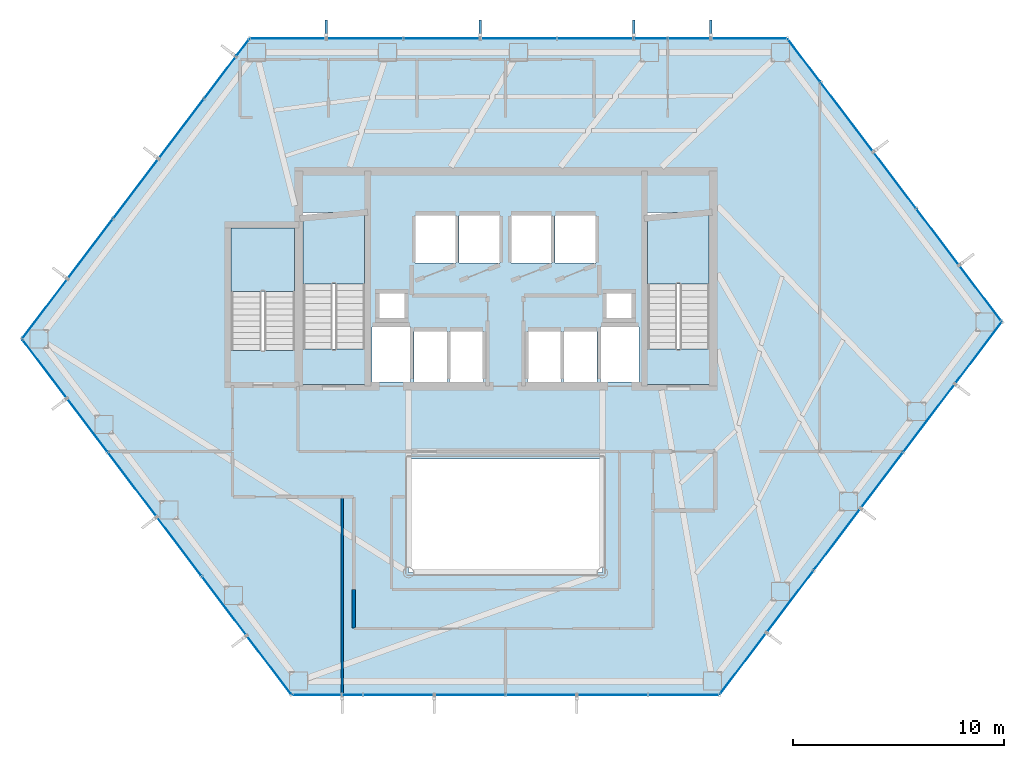
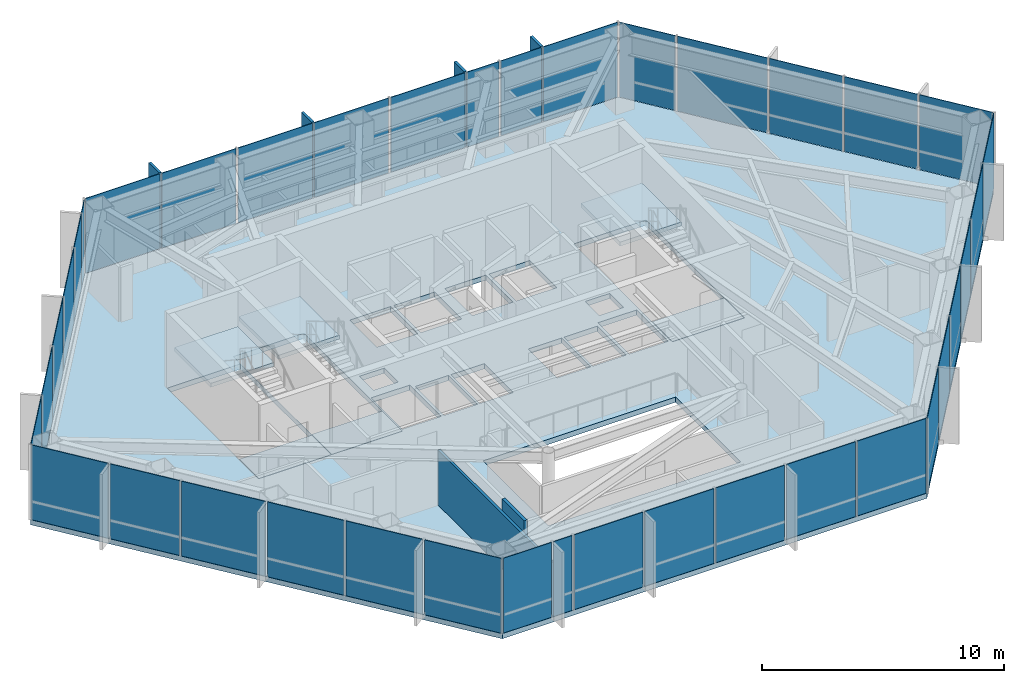
# One storey, part 20 of 24: 38 plates, 7 slabs, 4 members, 2 walls, 9 elements without a shape of their own.
"""IFC4 building model written with IfcOpenShell, lengths in metres."""

from ifc_helpers import new_model, si_unit, direction, frame, frame_2d, origin, origin_2d, place, context, subcontext, project, spatial, polyline, rectangle, outline, extrude, material, layer, layer_set, material_profile, profile_set, type_object, element, aggregate, save


model = new_model("IFC4")

# Units and contexts
model_context = context("Model", 3, precision=1e-05, world=origin(), true_north=direction((0.0, 1.0)))
body_context = subcontext(model_context, "Body", "Model", "MODEL_VIEW")
ifc_project = project(units=[si_unit("LENGTHUNIT", "METRE"), si_unit("AREAUNIT", "SQUARE_METRE"), si_unit("VOLUMEUNIT", "CUBIC_METRE"), si_unit("PLANEANGLEUNIT", "RADIAN"), si_unit("MASSUNIT", "GRAM", prefix="KILO")], contexts=[model_context])

# Site, building, storey
site_placement = place(None, origin())
site = spatial("IfcSite", under=ifc_project, at=site_placement, CompositionType="ELEMENT")
building_placement = place(site_placement, origin())
building = spatial("IfcBuilding", under=site, at=building_placement, Name="Zarrinselat Tower", CompositionType="ELEMENT")
storey_placement = place(building_placement, frame((0.0, 0.0, 72.419921875)))
storey = spatial("IfcBuildingStorey", under=building, at=storey_placement, Name="L17", CompositionType="ELEMENT", Elevation=72.419921875)

# Curtain wall, members, plates
ifc_material_1 = material(Name="Extruded Aluminium Alloy EN AW-6063 T6", Category="aluminium")
ifc_layer_1 = layer(ifc_material_1, 0.18505859375)
ifc_layer_set_1 = layer_set([ifc_layer_1], Name="Extruded Aluminium Alloy EN AW-6063 T6")
curtain_wall_type = type_object("IfcCurtainWallType", Name="CWS-OFF", PredefinedType="NOTDEFINED", material=ifc_layer_set_1)
curtain_wall_1_placement = place(storey_placement, origin())
curtain_wall_1 = element("IfcCurtainWall", 1, at=curtain_wall_1_placement, inside=storey, type_object=curtain_wall_type, Name="L17 Unitised Curtain Wall CW-L17-E01", PredefinedType="NOTDEFINED")
ifc_material_2 = material(Name="Honed Cream Travertine Stone", Category="masonry")
ifc_material_profile = material_profile(ifc_material_2, rectangle(XDim=0.1201171875, YDim=0.85009765625, at=origin_2d()), Name="FIN 850x120")
ifc_profile_set = profile_set([ifc_material_profile], Name="Honed Cream Travertine Stone")
member_type = type_object("IfcMemberType", Name="MEM-STONE-FIN", PredefinedType="USERDEFINED", material=ifc_profile_set)
member_1_placement = place(storey_placement, frame((48.130859375, 50.193359375, 0.0), z_axis=(0.0, 0.0, 1.0), x_axis=(1.0, 0.0, 0.0)))
member_1 = element("IfcMember", 2, at=member_1_placement, type_object=member_type, Name="L17 Stone Shading Fin CW-L17-E01-01", ObjectType="FIN", PredefinedType="USERDEFINED", context=body_context, shape_type="SweptSolid", body=[
    extrude(rectangle(XDim=0.1201171875, YDim=0.85009765625, at=origin_2d()), origin(), (0.0, 0.0, 1.0), 3.820068359375),
])
member_2_placement = place(storey_placement, frame((44.4853515625, 50.193359375, 0.0), z_axis=(0.0, 0.0, 1.0), x_axis=(1.0, 0.0, 0.0)))
member_2 = element("IfcMember", 3, at=member_2_placement, type_object=member_type, Name="L17 Stone Shading Fin CW-L17-E01-03", ObjectType="FIN", PredefinedType="USERDEFINED", context=body_context, shape_type="SweptSolid", body=[
    extrude(rectangle(XDim=0.1201171875, YDim=0.85009765625, at=origin_2d()), origin(), (0.0, 0.0, 1.0), 3.820068359375),
])
member_3_placement = place(storey_placement, frame((37.194580078125, 50.193359375, 0.0), z_axis=(0.0, 0.0, 1.0), x_axis=(1.0, 0.0, 0.0)))
member_3 = element("IfcMember", 4, at=member_3_placement, type_object=member_type, Name="L17 Stone Shading Fin CW-L17-E01-05", ObjectType="FIN", PredefinedType="USERDEFINED", context=body_context, shape_type="SweptSolid", body=[
    extrude(rectangle(XDim=0.1201171875, YDim=0.85009765625, at=origin_2d()), origin(), (0.0, 0.0, 1.0), 3.820068359375),
])
member_4_placement = place(storey_placement, frame((29.903564453125, 50.193359375, 0.0), z_axis=(0.0, 0.0, 1.0), x_axis=(1.0, 0.0, 0.0)))
member_4 = element("IfcMember", 5, at=member_4_placement, type_object=member_type, Name="L17 Stone Shading Fin CW-L17-E01-07", ObjectType="FIN", PredefinedType="USERDEFINED", context=body_context, shape_type="SweptSolid", body=[
    extrude(rectangle(XDim=0.1201171875, YDim=0.85009765625, at=origin_2d()), origin(), (0.0, 0.0, 1.0), 3.820068359375),
])
ifc_material_3 = material(Name="Double Low-E Laminated Solar Glass", Category="glass")
ifc_layer_2 = layer(ifc_material_3, 0.031982421875)
ifc_layer_set_2 = layer_set([ifc_layer_2], Name="Double Low-E Laminated Solar Glass")
plate_type = type_object("IfcPlateType", Name="PLT-CW-GL32", PredefinedType="CURTAIN_PANEL", material=ifc_layer_set_2)
plate_1_placement = place(storey_placement, frame((49.95361328125, 49.7333984375, 0.02001953125), z_axis=(0.0, 0.0, 1.0), x_axis=(-1.0, 0.0, 0.0)))
plate_1 = element("IfcPlate", 6, at=plate_1_placement, type_object=plate_type, Name="CW-L17-E01 Vision Glass Panel 1", PredefinedType="CURTAIN_PANEL", context=body_context, shape_type="SweptSolid", body=[
    extrude(rectangle(XDim=3.54541015625, YDim=0.031982421875, at=origin_2d()), origin(), (0.0, 0.0, 1.0), 3.780029296875),
])
plate_2_placement = place(storey_placement, frame((47.115478515625, 49.7333984375, 0.02001953125), z_axis=(0.0, 0.0, 1.0), x_axis=(-1.0, 0.0, 0.0)))
plate_2 = element("IfcPlate", 7, at=plate_2_placement, type_object=plate_type, Name="CW-L17-E01 Vision Glass Panel 2", PredefinedType="CURTAIN_PANEL", context=body_context, shape_type="SweptSolid", body=[
    extrude(rectangle(XDim=1.930908203125, YDim=0.031982421875, at=origin_2d()), origin(), (0.0, 0.0, 1.0), 3.780029296875),
])
plate_3_placement = place(storey_placement, frame((45.292724609375, 49.7333984375, 0.02001953125), z_axis=(0.0, 0.0, 1.0), x_axis=(-1.0, 0.0, 0.0)))
plate_3 = element("IfcPlate", 8, at=plate_3_placement, type_object=plate_type, Name="CW-L17-E01 Vision Glass Panel 3", PredefinedType="CURTAIN_PANEL", context=body_context, shape_type="SweptSolid", body=[
    extrude(rectangle(XDim=1.5146484375, YDim=0.031982421875, at=origin_2d()), origin(), (0.0, 0.0, 1.0), 3.780029296875),
])
plate_4_placement = place(storey_placement, frame((42.66259765625, 49.7333984375, 0.02001953125), z_axis=(0.0, 0.0, 1.0), x_axis=(-1.0, 0.0, 0.0)))
plate_4 = element("IfcPlate", 9, at=plate_4_placement, type_object=plate_type, Name="CW-L17-E01 Vision Glass Panel 4", PredefinedType="CURTAIN_PANEL", context=body_context, shape_type="SweptSolid", body=[
    extrude(rectangle(XDim=3.54541015625, YDim=0.031982421875, at=origin_2d()), origin(), (0.0, 0.0, 1.0), 3.780029296875),
])
plate_5_placement = place(storey_placement, frame((39.01708984375, 49.7333984375, 0.02001953125), z_axis=(0.0, 0.0, 1.0), x_axis=(-1.0, 0.0, 0.0)))
plate_5 = element("IfcPlate", 10, at=plate_5_placement, type_object=plate_type, Name="CW-L17-E01 Vision Glass Panel 5", PredefinedType="CURTAIN_PANEL", context=body_context, shape_type="SweptSolid", body=[
    extrude(rectangle(XDim=3.54541015625, YDim=0.031982421875, at=origin_2d()), origin(), (0.0, 0.0, 1.0), 3.780029296875),
])
plate_6_placement = place(storey_placement, frame((35.371826171875, 49.7333984375, 0.02001953125), z_axis=(0.0, 0.0, 1.0), x_axis=(-1.0, 0.0, 0.0)))
plate_6 = element("IfcPlate", 11, at=plate_6_placement, type_object=plate_type, Name="CW-L17-E01 Vision Glass Panel 6", PredefinedType="CURTAIN_PANEL", context=body_context, shape_type="SweptSolid", body=[
    extrude(rectangle(XDim=3.54541015625, YDim=0.031982421875, at=origin_2d()), origin(), (0.0, 0.0, 1.0), 3.780029296875),
])
plate_7_placement = place(storey_placement, frame((31.726318359375, 49.7333984375, 0.02001953125), z_axis=(0.0, 0.0, 1.0), x_axis=(-1.0, 0.0, 0.0)))
plate_7 = element("IfcPlate", 12, at=plate_7_placement, type_object=plate_type, Name="CW-L17-E01 Vision Glass Panel 7", PredefinedType="CURTAIN_PANEL", context=body_context, shape_type="SweptSolid", body=[
    extrude(rectangle(XDim=3.54541015625, YDim=0.031982421875, at=origin_2d()), origin(), (0.0, 0.0, 1.0), 3.780029296875),
])
plate_8_placement = place(storey_placement, frame((28.080810546875, 49.7333984375, 0.02001953125), z_axis=(0.0, 0.0, 1.0), x_axis=(-1.0, 0.0, 0.0)))
plate_8 = element("IfcPlate", 13, at=plate_8_placement, type_object=plate_type, Name="CW-L17-E01 Vision Glass Panel 8", PredefinedType="CURTAIN_PANEL", context=body_context, shape_type="SweptSolid", body=[
    extrude(rectangle(XDim=3.54541015625, YDim=0.031982421875, at=origin_2d()), origin(), (0.0, 0.0, 1.0), 3.780029296875),
])
aggregate(curtain_wall_1, [member_1, member_2, member_3, member_4, plate_1, plate_2, plate_3, plate_4, plate_5, plate_6, plate_7, plate_8])

# Curtain wall, plates
curtain_wall_2_placement = place(storey_placement, origin())
curtain_wall_2 = element("IfcCurtainWall", 14, at=curtain_wall_2_placement, inside=storey, type_object=curtain_wall_type, Name="L17 Unitised Curtain Wall CW-L17-E02", PredefinedType="NOTDEFINED")
plate_9_placement = place(storey_placement, frame((25.93798828125, 49.310791015625, 0.02001953125), z_axis=(0.0, 0.0, 1.0), x_axis=(-0.60385671849, -0.797092882627, 0.0)))
plate_9 = element("IfcPlate", 15, at=plate_9_placement, type_object=plate_type, Name="CW-L17-E02 Vision Glass Panel 1", PredefinedType="CURTAIN_PANEL", context=body_context, shape_type="SweptSolid", body=[
    extrude(rectangle(XDim=0.96044921875, YDim=0.031982421875, at=origin_2d()), origin(), (0.0, 0.0, 1.0), 3.780029296875),
])
plate_10_placement = place(storey_placement, frame((24.858642578125, 47.885986328125, 0.02001953125), z_axis=(0.0, 0.0, 1.0), x_axis=(-0.60385671849, -0.797092882627, 0.0)))
plate_10 = element("IfcPlate", 16, at=plate_10_placement, type_object=plate_type, Name="CW-L17-E02 Vision Glass Panel 2", PredefinedType="CURTAIN_PANEL", context=body_context, shape_type="SweptSolid", body=[
    extrude(rectangle(XDim=2.4140625, YDim=0.031982421875, at=origin_2d()), origin(), (0.0, 0.0, 1.0), 3.780029296875),
])
plate_11_placement = place(storey_placement, frame((23.0205078125, 45.45947265625, 0.02001953125), z_axis=(0.0, 0.0, 1.0), x_axis=(-0.60385671849, -0.797092882627, 0.0)))
plate_11 = element("IfcPlate", 17, at=plate_11_placement, type_object=plate_type, Name="CW-L17-E02 Vision Glass Panel 3", PredefinedType="CURTAIN_PANEL", context=body_context, shape_type="SweptSolid", body=[
    extrude(rectangle(XDim=3.474609375, YDim=0.031982421875, at=origin_2d()), origin(), (0.0, 0.0, 1.0), 3.780029296875),
])
plate_12_placement = place(storey_placement, frame((20.86181640625, 42.610107421875, 0.02001953125), z_axis=(0.0, 0.0, 1.0), x_axis=(-0.60385671849, -0.797092882627, 0.0)))
plate_12 = element("IfcPlate", 18, at=plate_12_placement, type_object=plate_type, Name="CW-L17-E02 Vision Glass Panel 4", PredefinedType="CURTAIN_PANEL", context=body_context, shape_type="SweptSolid", body=[
    extrude(rectangle(XDim=3.474609375, YDim=0.031982421875, at=origin_2d()), origin(), (0.0, 0.0, 1.0), 3.780029296875),
])
plate_13_placement = place(storey_placement, frame((18.703369140625, 39.7607421875, 0.02001953125), z_axis=(0.0, 0.0, 1.0), x_axis=(-0.60385671849, -0.797092882627, 0.0)))
plate_13 = element("IfcPlate", 19, at=plate_13_placement, type_object=plate_type, Name="CW-L17-E02 Vision Glass Panel 5", PredefinedType="CURTAIN_PANEL", context=body_context, shape_type="SweptSolid", body=[
    extrude(rectangle(XDim=3.474609375, YDim=0.031982421875, at=origin_2d()), origin(), (0.0, 0.0, 1.0), 3.780029296875),
])
plate_14_placement = place(storey_placement, frame((16.544921875, 36.91162109375, 0.02001953125), z_axis=(0.0, 0.0, 1.0), x_axis=(-0.60385671849, -0.797092882627, 0.0)))
plate_14 = element("IfcPlate", 20, at=plate_14_placement, type_object=plate_type, Name="CW-L17-E02 Vision Glass Panel 6", PredefinedType="CURTAIN_PANEL", context=body_context, shape_type="SweptSolid", body=[
    extrude(rectangle(XDim=3.474609375, YDim=0.031982421875, at=origin_2d()), origin(), (0.0, 0.0, 1.0), 3.780029296875),
])
aggregate(curtain_wall_2, [plate_9, plate_10, plate_11, plate_12, plate_13, plate_14])

curtain_wall_3_placement = place(storey_placement, origin())
curtain_wall_3 = element("IfcCurtainWall", 21, at=curtain_wall_3_placement, inside=storey, type_object=curtain_wall_type, Name="L17 Unitised Curtain Wall CW-L17-E03", PredefinedType="NOTDEFINED")
plate_15_placement = place(storey_placement, frame((16.53125, 34.080078125, 0.02001953125), z_axis=(0.0, 0.0, 1.0), x_axis=(0.603854869931, -0.797094283044, 0.0)))
plate_15 = element("IfcPlate", 22, at=plate_15_placement, type_object=plate_type, Name="CW-L17-E03 Vision Glass Panel 1", PredefinedType="CURTAIN_PANEL", context=body_context, shape_type="SweptSolid", body=[
    extrude(rectangle(XDim=3.429931640625, YDim=0.031982421875, at=origin_2d()), origin(), (0.0, 0.0, 1.0), 3.780029296875),
])
plate_16_placement = place(storey_placement, frame((18.56640625, 31.3935546875, 0.02001953125), z_axis=(0.0, 0.0, 1.0), x_axis=(0.603854869931, -0.797094283044, 0.0)))
plate_16 = element("IfcPlate", 23, at=plate_16_placement, type_object=plate_type, Name="CW-L17-E03 Vision Glass Panel 2", PredefinedType="CURTAIN_PANEL", context=body_context, shape_type="SweptSolid", body=[
    extrude(rectangle(XDim=3.111083984375, YDim=0.031982421875, at=origin_2d()), origin(), (0.0, 0.0, 1.0), 3.780029296875),
])
plate_17_placement = place(storey_placement, frame((20.697998046875, 28.579833984375, 0.02001953125), z_axis=(0.0, 0.0, 1.0), x_axis=(0.603854869931, -0.797094283044, 0.0)))
plate_17 = element("IfcPlate", 24, at=plate_17_placement, type_object=plate_type, Name="CW-L17-E03 Vision Glass Panel 3", PredefinedType="CURTAIN_PANEL", context=body_context, shape_type="SweptSolid", body=[
    extrude(rectangle(XDim=3.748779296875, YDim=0.031982421875, at=origin_2d()), origin(), (0.0, 0.0, 1.0), 3.780029296875),
])
plate_18_placement = place(storey_placement, frame((22.92578125, 25.63916015625, 0.02001953125), z_axis=(0.0, 0.0, 1.0), x_axis=(0.603854869931, -0.797094283044, 0.0)))
plate_18 = element("IfcPlate", 25, at=plate_18_placement, type_object=plate_type, Name="CW-L17-E03 Vision Glass Panel 4", PredefinedType="CURTAIN_PANEL", context=body_context, shape_type="SweptSolid", body=[
    extrude(rectangle(XDim=3.429931640625, YDim=0.031982421875, at=origin_2d()), origin(), (0.0, 0.0, 1.0), 3.780029296875),
])
plate_19_placement = place(storey_placement, frame((25.0576171875, 22.825439453125, 0.02001953125), z_axis=(0.0, 0.0, 1.0), x_axis=(0.603854869931, -0.797094283044, 0.0)))
plate_19 = element("IfcPlate", 26, at=plate_19_placement, type_object=plate_type, Name="CW-L17-E03 Vision Glass Panel 5", PredefinedType="CURTAIN_PANEL", context=body_context, shape_type="SweptSolid", body=[
    extrude(rectangle(XDim=3.429931640625, YDim=0.031982421875, at=origin_2d()), origin(), (0.0, 0.0, 1.0), 3.780029296875),
])
plate_20_placement = place(storey_placement, frame((27.18896484375, 20.01171875, 0.02001953125), z_axis=(0.0, 0.0, 1.0), x_axis=(0.603854869931, -0.797094283044, 0.0)))
plate_20 = element("IfcPlate", 27, at=plate_20_placement, type_object=plate_type, Name="CW-L17-E03 Vision Glass Panel 6", PredefinedType="CURTAIN_PANEL", context=body_context, shape_type="SweptSolid", body=[
    extrude(rectangle(XDim=3.429931640625, YDim=0.031982421875, at=origin_2d()), origin(), (0.0, 0.0, 1.0), 3.780029296875),
])
aggregate(curtain_wall_3, [plate_15, plate_16, plate_17, plate_18, plate_19, plate_20])

curtain_wall_4_placement = place(storey_placement, origin())
curtain_wall_4 = element("IfcCurtainWall", 28, at=curtain_wall_4_placement, inside=storey, type_object=curtain_wall_type, Name="L17 Unitised Curtain Wall CW-L17-E04", PredefinedType="NOTDEFINED")
plate_21_placement = place(storey_placement, frame((29.452392578125, 18.60498046875, 0.02001953125), z_axis=(0.0, 0.0, 1.0), x_axis=(1.0, 0.0, 0.0)))
plate_21 = element("IfcPlate", 29, at=plate_21_placement, type_object=plate_type, Name="CW-L17-E04 Vision Glass Panel 1", PredefinedType="CURTAIN_PANEL", context=body_context, shape_type="SweptSolid", body=[
    extrude(rectangle(XDim=2.295166015625, YDim=0.031982421875, at=origin_2d()), origin(), (0.0, 0.0, 1.0), 3.780029296875),
])
plate_22_placement = place(storey_placement, frame((31.143310546875, 18.60498046875, 0.02001953125), z_axis=(0.0, 0.0, 1.0), x_axis=(1.0, 0.0, 0.0)))
plate_22 = element("IfcPlate", 30, at=plate_22_placement, type_object=plate_type, Name="CW-L17-E04 Vision Glass Panel 2", PredefinedType="CURTAIN_PANEL", context=body_context, shape_type="SweptSolid", body=[
    extrude(rectangle(XDim=0.886474609375, YDim=0.031982421875, at=origin_2d()), origin(), (0.0, 0.0, 1.0), 3.780029296875),
])
plate_23_placement = place(storey_placement, frame((33.327392578125, 18.60498046875, 0.02001953125), z_axis=(0.0, 0.0, 1.0), x_axis=(1.0, 0.0, 0.0)))
plate_23 = element("IfcPlate", 31, at=plate_23_placement, type_object=plate_type, Name="CW-L17-E04 Vision Glass Panel 3", PredefinedType="CURTAIN_PANEL", context=body_context, shape_type="SweptSolid", body=[
    extrude(rectangle(XDim=3.28173828125, YDim=0.031982421875, at=origin_2d()), origin(), (0.0, 0.0, 1.0), 3.780029296875),
])
plate_24_placement = place(storey_placement, frame((36.708984375, 18.60498046875, 0.02001953125), z_axis=(0.0, 0.0, 1.0), x_axis=(1.0, 0.0, 0.0)))
plate_24 = element("IfcPlate", 32, at=plate_24_placement, type_object=plate_type, Name="CW-L17-E04 Vision Glass Panel 4", PredefinedType="CURTAIN_PANEL", context=body_context, shape_type="SweptSolid", body=[
    extrude(rectangle(XDim=3.28173828125, YDim=0.031982421875, at=origin_2d()), origin(), (0.0, 0.0, 1.0), 3.780029296875),
])
plate_25_placement = place(storey_placement, frame((40.0908203125, 18.60498046875, 0.02001953125), z_axis=(0.0, 0.0, 1.0), x_axis=(1.0, 0.0, 0.0)))
plate_25 = element("IfcPlate", 33, at=plate_25_placement, type_object=plate_type, Name="CW-L17-E04 Vision Glass Panel 5", PredefinedType="CURTAIN_PANEL", context=body_context, shape_type="SweptSolid", body=[
    extrude(rectangle(XDim=3.28173828125, YDim=0.031982421875, at=origin_2d()), origin(), (0.0, 0.0, 1.0), 3.780029296875),
])
plate_26_placement = place(storey_placement, frame((43.47265625, 18.60498046875, 0.02001953125), z_axis=(0.0, 0.0, 1.0), x_axis=(1.0, 0.0, 0.0)))
plate_26 = element("IfcPlate", 34, at=plate_26_placement, type_object=plate_type, Name="CW-L17-E04 Vision Glass Panel 6", PredefinedType="CURTAIN_PANEL", context=body_context, shape_type="SweptSolid", body=[
    extrude(rectangle(XDim=3.28173828125, YDim=0.031982421875, at=origin_2d()), origin(), (0.0, 0.0, 1.0), 3.780029296875),
])
plate_27_placement = place(storey_placement, frame((46.854248046875, 18.60498046875, 0.02001953125), z_axis=(0.0, 0.0, 1.0), x_axis=(1.0, 0.0, 0.0)))
plate_27 = element("IfcPlate", 35, at=plate_27_placement, type_object=plate_type, Name="CW-L17-E04 Vision Glass Panel 7", PredefinedType="CURTAIN_PANEL", context=body_context, shape_type="SweptSolid", body=[
    extrude(rectangle(XDim=3.28173828125, YDim=0.031982421875, at=origin_2d()), origin(), (0.0, 0.0, 1.0), 3.780029296875),
])
aggregate(curtain_wall_4, [plate_21, plate_22, plate_23, plate_24, plate_25, plate_26, plate_27])

curtain_wall_5_placement = place(storey_placement, origin())
curtain_wall_5 = element("IfcCurtainWall", 36, at=curtain_wall_5_placement, inside=storey, type_object=curtain_wall_type, Name="L17 Unitised Curtain Wall CW-L17-E05", PredefinedType="NOTDEFINED")
plate_28_placement = place(storey_placement, frame((49.662353515625, 20.07958984375, 0.02001953125), z_axis=(0.0, 0.0, 1.0), x_axis=(0.603855086386, 0.797094119063, 0.0)))
plate_28 = element("IfcPlate", 37, at=plate_28_placement, type_object=plate_type, Name="CW-L17-E05 Vision Glass Panel 1", PredefinedType="CURTAIN_PANEL", context=body_context, shape_type="SweptSolid", body=[
    extrude(rectangle(XDim=3.600341796875, YDim=0.031982421875, at=origin_2d()), origin(), (0.0, 0.0, 1.0), 3.780029296875),
])
plate_29_placement = place(storey_placement, frame((51.896728515625, 23.029052734375, 0.02001953125), z_axis=(0.0, 0.0, 1.0), x_axis=(0.603855086386, 0.797094119063, 0.0)))
plate_29 = element("IfcPlate", 38, at=plate_29_placement, type_object=plate_type, Name="CW-L17-E05 Vision Glass Panel 2", PredefinedType="CURTAIN_PANEL", context=body_context, shape_type="SweptSolid", body=[
    extrude(rectangle(XDim=3.600341796875, YDim=0.031982421875, at=origin_2d()), origin(), (0.0, 0.0, 1.0), 3.780029296875),
])
plate_30_placement = place(storey_placement, frame((54.131103515625, 25.978515625, 0.02001953125), z_axis=(0.0, 0.0, 1.0), x_axis=(0.603855086386, 0.797094119063, 0.0)))
plate_30 = element("IfcPlate", 39, at=plate_30_placement, type_object=plate_type, Name="CW-L17-E05 Vision Glass Panel 3", PredefinedType="CURTAIN_PANEL", context=body_context, shape_type="SweptSolid", body=[
    extrude(rectangle(XDim=3.600341796875, YDim=0.031982421875, at=origin_2d()), origin(), (0.0, 0.0, 1.0), 3.780029296875),
])
plate_31_placement = place(storey_placement, frame((56.256103515625, 28.783447265625, 0.02001953125), z_axis=(0.0, 0.0, 1.0), x_axis=(0.603855086386, 0.797094119063, 0.0)))
plate_31 = element("IfcPlate", 40, at=plate_31_placement, type_object=plate_type, Name="CW-L17-E05 Vision Glass Panel 4", PredefinedType="CURTAIN_PANEL", context=body_context, shape_type="SweptSolid", body=[
    extrude(rectangle(XDim=3.23779296875, YDim=0.031982421875, at=origin_2d()), origin(), (0.0, 0.0, 1.0), 3.780029296875),
])
plate_32_placement = place(storey_placement, frame((58.490478515625, 31.73291015625, 0.02001953125), z_axis=(0.0, 0.0, 1.0), x_axis=(0.603855086386, 0.797094119063, 0.0)))
plate_32 = element("IfcPlate", 41, at=plate_32_placement, type_object=plate_type, Name="CW-L17-E05 Vision Glass Panel 5", PredefinedType="CURTAIN_PANEL", context=body_context, shape_type="SweptSolid", body=[
    extrude(rectangle(XDim=3.962646484375, YDim=0.031982421875, at=origin_2d()), origin(), (0.0, 0.0, 1.0), 3.780029296875),
])
plate_33_placement = place(storey_placement, frame((60.83447265625, 34.826904296875, 0.02001953125), z_axis=(0.0, 0.0, 1.0), x_axis=(0.603855086386, 0.797094119063, 0.0)))
plate_33 = element("IfcPlate", 42, at=plate_33_placement, type_object=plate_type, Name="CW-L17-E05 Vision Glass Panel 6", PredefinedType="CURTAIN_PANEL", context=body_context, shape_type="SweptSolid", body=[
    extrude(rectangle(XDim=3.600341796875, YDim=0.031982421875, at=origin_2d()), origin(), (0.0, 0.0, 1.0), 3.780029296875),
])
aggregate(curtain_wall_5, [plate_28, plate_29, plate_30, plate_31, plate_32, plate_33])

curtain_wall_6_placement = place(storey_placement, origin())
curtain_wall_6 = element("IfcCurtainWall", 43, at=curtain_wall_6_placement, inside=storey, type_object=curtain_wall_type, Name="L17 Unitised Curtain Wall CW-L17-E06", PredefinedType="NOTDEFINED")
plate_34_placement = place(storey_placement, frame((60.93408203125, 37.644775390625, 0.02001953125), z_axis=(0.0, 0.0, 1.0), x_axis=(-0.603856545426, 0.797093013736, 0.0)))
plate_34 = element("IfcPlate", 44, at=plate_34_placement, type_object=plate_type, Name="CW-L17-E06 Vision Glass Panel 1", PredefinedType="CURTAIN_PANEL", context=body_context, shape_type="SweptSolid", body=[
    extrude(rectangle(XDim=3.270263671875, YDim=0.031982421875, at=origin_2d()), origin(), (0.0, 0.0, 1.0), 3.780029296875),
])
plate_35_placement = place(storey_placement, frame((58.899169921875, 40.3310546875, 0.02001953125), z_axis=(0.0, 0.0, 1.0), x_axis=(-0.603856545426, 0.797093013736, 0.0)))
plate_35 = element("IfcPlate", 45, at=plate_35_placement, type_object=plate_type, Name="CW-L17-E06 Vision Glass Panel 2", PredefinedType="CURTAIN_PANEL", context=body_context, shape_type="SweptSolid", body=[
    extrude(rectangle(XDim=3.270263671875, YDim=0.031982421875, at=origin_2d()), origin(), (0.0, 0.0, 1.0), 3.780029296875),
])
plate_36_placement = place(storey_placement, frame((56.864013671875, 43.017333984375, 0.02001953125), z_axis=(0.0, 0.0, 1.0), x_axis=(-0.603856545426, 0.797093013736, 0.0)))
plate_36 = element("IfcPlate", 46, at=plate_36_placement, type_object=plate_type, Name="CW-L17-E06 Vision Glass Panel 3", PredefinedType="CURTAIN_PANEL", context=body_context, shape_type="SweptSolid", body=[
    extrude(rectangle(XDim=3.270263671875, YDim=0.031982421875, at=origin_2d()), origin(), (0.0, 0.0, 1.0), 3.780029296875),
])
plate_37_placement = place(storey_placement, frame((54.59716796875, 46.009765625, 0.02001953125), z_axis=(0.0, 0.0, 1.0), x_axis=(-0.603856545426, 0.797093013736, 0.0)))
plate_37 = element("IfcPlate", 47, at=plate_37_placement, type_object=plate_type, Name="CW-L17-E06 Vision Glass Panel 4", PredefinedType="CURTAIN_PANEL", context=body_context, shape_type="SweptSolid", body=[
    extrude(rectangle(XDim=4.03759765625, YDim=0.031982421875, at=origin_2d()), origin(), (0.0, 0.0, 1.0), 3.780029296875),
])
plate_38_placement = place(storey_placement, frame((52.56201171875, 48.696044921875, 0.02001953125), z_axis=(0.0, 0.0, 1.0), x_axis=(-0.603856545426, 0.797093013736, 0.0)))
plate_38 = element("IfcPlate", 48, at=plate_38_placement, type_object=plate_type, Name="CW-L17-E06 Vision Glass Panel 5", PredefinedType="CURTAIN_PANEL", context=body_context, shape_type="SweptSolid", body=[
    extrude(rectangle(XDim=2.502685546875, YDim=0.031982421875, at=origin_2d()), origin(), (0.0, 0.0, 1.0), 3.780029296875),
])
aggregate(curtain_wall_6, [plate_34, plate_35, plate_36, plate_37, plate_38])

# Slabs
ifc_material_4 = material(Name="Concrete C40/50", Category="concrete")
ifc_layer_3 = layer(ifc_material_4, 0.260009765625)
ifc_layer_set_3 = layer_set([ifc_layer_3], Name="Concrete C40/50")
slab_type_1 = type_object("IfcSlabType", Name="SLB-FLOOR-260-SL-OF260", PredefinedType="FLOOR", material=ifc_layer_set_3)
slab_1_placement = place(storey_placement, frame((0.0, 0.0, -0.260009765625)))
element("IfcSlab", 49, at=slab_1_placement, inside=storey, type_object=slab_type_1, Name="L17 Primary Structural Slab", PredefinedType="FLOOR", context=body_context, shape_type="SweptSolid", body=[
    extrude(outline(polyline([(51.776123046875, 49.7333984375), (26.25830078125, 49.7333984375), (15.465576171875, 35.48681640625), (28.2548828125, 18.60498046875), (48.545166015625, 18.60498046875), (61.95166015625, 36.301513671875), (51.776123046875, 49.7333984375)]), holes=[polyline([(34.050048828125, 33.449951171875), (34.050048828125, 35.85009765625), (35.64990234375, 35.85009765625), (35.64990234375, 33.449951171875), (34.050048828125, 33.449951171875)]), polyline([(35.75, 33.449951171875), (35.75, 35.85009765625), (37.35009765625, 35.85009765625), (37.35009765625, 33.449951171875), (35.75, 33.449951171875)]), polyline([(32.06005859375, 33.449951171875), (32.06005859375, 36.050048828125), (33.89990234375, 36.050048828125), (33.89990234375, 33.449951171875), (32.06005859375, 33.449951171875)]), polyline([(32.419921875, 36.47998046875), (32.419921875, 37.639892578125), (33.60009765625, 37.639892578125), (33.60009765625, 36.47998046875), (32.419921875, 36.47998046875)]), polyline([(28.594970703125, 33.324951171875), (25.114990234375, 33.324951171875), (25.114990234375, 40.875), (28.594970703125, 40.875), (28.594970703125, 33.324951171875)]), polyline([(31.985107421875, 33.324951171875), (28.60498046875, 33.324951171875), (28.60498046875, 41.47509765625), (31.985107421875, 41.47509765625), (31.985107421875, 33.324951171875)]), polyline([(34.10009765625, 39.10009765625), (34.10009765625, 41.35009765625), (36.050048828125, 41.35009765625), (36.050048828125, 39.10009765625), (34.10009765625, 39.10009765625)]), polyline([(36.199951171875, 39.10009765625), (36.199951171875, 41.35009765625), (38.14990234375, 41.35009765625), (38.14990234375, 39.10009765625), (36.199951171875, 39.10009765625)]), polyline([(33.800048828125, 24.39990234375), (33.800048828125, 29.800048828125), (43.0, 29.800048828125), (43.0, 24.39990234375), (33.800048828125, 24.39990234375)]), polyline([(39.449951171875, 33.449951171875), (39.449951171875, 35.85009765625), (41.050048828125, 35.85009765625), (41.050048828125, 33.449951171875), (39.449951171875, 33.449951171875)]), polyline([(41.14990234375, 33.449951171875), (41.14990234375, 35.85009765625), (42.75, 35.85009765625), (42.75, 33.449951171875), (41.14990234375, 33.449951171875)]), polyline([(42.89990234375, 33.449951171875), (42.89990234375, 36.050048828125), (44.739990234375, 36.050048828125), (44.739990234375, 33.449951171875), (42.89990234375, 33.449951171875)]), polyline([(43.199951171875, 36.47998046875), (43.199951171875, 37.639892578125), (44.3798828125, 37.639892578125), (44.3798828125, 36.47998046875), (43.199951171875, 36.47998046875)]), polyline([(48.324951171875, 33.324951171875), (44.875, 33.324951171875), (44.875, 41.47509765625), (48.324951171875, 41.47509765625), (48.324951171875, 33.324951171875)]), polyline([(38.64990234375, 39.10009765625), (38.64990234375, 41.35009765625), (40.60009765625, 41.35009765625), (40.60009765625, 39.10009765625), (38.64990234375, 39.10009765625)]), polyline([(40.75, 39.10009765625), (40.75, 41.35009765625), (42.699951171875, 41.35009765625), (42.699951171875, 39.10009765625), (40.75, 39.10009765625)])]), origin(), (0.0, 0.0, 1.0), 0.260009765625),
])
slab_2_placement = place(storey_placement, frame((0.0, 0.0, -0.260009765625)))
element("IfcSlab", 50, at=slab_2_placement, inside=storey, type_object=slab_type_1, Name="L17 Stair ST-1-FL1 Structural Floor Landing", PredefinedType="FLOOR", context=body_context, shape_type="SweptSolid", body=[
    extrude(outline(polyline([(31.97998046875, 33.330078125), (31.97998046875, 35.0), (28.610107421875, 35.0), (28.610107421875, 33.330078125), (31.97998046875, 33.330078125)])), origin(), (0.0, 0.0, 1.0), 0.260009765625),
])
slab_3_placement = place(storey_placement, frame((0.0, 0.0, -0.260009765625)))
element("IfcSlab", 51, at=slab_3_placement, inside=storey, type_object=slab_type_1, Name="L17 Stair ST-2-FL1 Structural Floor Landing", PredefinedType="FLOOR", context=body_context, shape_type="SweptSolid", body=[
    extrude(outline(polyline([(48.320068359375, 33.330078125), (48.320068359375, 35.0), (44.8798828125, 35.0), (44.8798828125, 33.330078125), (48.320068359375, 33.330078125)])), origin(), (0.0, 0.0, 1.0), 0.260009765625),
])
slab_4_placement = place(storey_placement, frame((0.0, 0.0, -0.260009765625)))
element("IfcSlab", 52, at=slab_4_placement, inside=storey, type_object=slab_type_1, Name="L17 Stair ST-3-FL1 Structural Floor Landing", PredefinedType="FLOOR", context=body_context, shape_type="SweptSolid", body=[
    extrude(outline(polyline([(28.590087890625, 33.330078125), (28.590087890625, 34.949951171875), (25.1201171875, 34.949951171875), (25.1201171875, 33.330078125), (28.590087890625, 33.330078125)])), origin(), (0.0, 0.0, 1.0), 0.260009765625),
])

# Stair, slab
ifc_material_5 = material(Name="Concrete C40/50", Category="concrete")
stair_type_1 = type_object("IfcStairType", Name="STR-CORE-145", PredefinedType="HALF_TURN_STAIR", material=ifc_material_5)
stair_1_placement = place(storey_placement, origin())
stair_1 = element("IfcStair", 53, at=stair_1_placement, inside=storey, type_object=stair_type_1, Name="L17 Podium & Mid-Tower Exit Stair 3", PredefinedType="HALF_TURN_STAIR")
ifc_material_6 = material(Name="Concrete C40/50", Category="concrete")
ifc_layer_4 = layer(ifc_material_6, 0.1650390625)
ifc_layer_set_4 = layer_set([ifc_layer_4], Name="Concrete C40/50")
slab_type_2 = type_object("IfcSlabType", Name="SLB-LND-165", PredefinedType="LANDING", material=ifc_layer_set_4)
slab_5_placement = place(storey_placement, frame((0.0, 0.0, 1.840087890625)))
slab_5 = element("IfcSlab", 54, at=slab_5_placement, type_object=slab_type_2, Name="ST-3 landing 1", PredefinedType="LANDING", context=body_context, shape_type="SweptSolid", body=[
    extrude(outline(polyline([(28.39990234375, 37.75), (28.39990234375, 40.75), (25.3798828125, 40.75), (25.3798828125, 37.75), (28.39990234375, 37.75)])), origin(), (0.0, 0.0, 1.0), 0.199951171875),
])
aggregate(stair_1, [slab_5])

ifc_material_7 = material(Name="Concrete C40/50", Category="concrete")
stair_type_2 = type_object("IfcStairType", Name="STR-CORE-155", PredefinedType="HALF_TURN_STAIR", material=ifc_material_7)
stair_2_placement = place(storey_placement, origin())
stair_2 = element("IfcStair", 55, at=stair_2_placement, inside=storey, type_object=stair_type_2, Name="L17 Core Exit Stair 1", PredefinedType="HALF_TURN_STAIR")
ifc_material_8 = material(Name="Concrete C40/50", Category="concrete")
ifc_layer_5 = layer(ifc_material_8, 0.18994140625)
ifc_layer_set_5 = layer_set([ifc_layer_5], Name="Concrete C40/50")
slab_type_3 = type_object("IfcSlabType", Name="SLB-LND-190", PredefinedType="LANDING", material=ifc_layer_set_5)
slab_6_placement = place(storey_placement, frame((0.0, 0.0, 1.840087890625)))
slab_6 = element("IfcSlab", 56, at=slab_6_placement, type_object=slab_type_3, Name="ST-1 landing 1", PredefinedType="LANDING", context=body_context, shape_type="SweptSolid", body=[
    extrude(outline(polyline([(31.719970703125, 38.10009765625), (31.719970703125, 41.35009765625), (28.800048828125, 41.35009765625), (28.800048828125, 38.10009765625), (31.719970703125, 38.10009765625)])), origin(), (0.0, 0.0, 1.0), 0.199951171875),
])
aggregate(stair_2, [slab_6])

stair_3_placement = place(storey_placement, origin())
stair_3 = element("IfcStair", 57, at=stair_3_placement, inside=storey, type_object=stair_type_2, Name="L17 Core Exit Stair 2", PredefinedType="HALF_TURN_STAIR")
slab_7_placement = place(storey_placement, frame((0.0, 0.0, 1.840087890625)))
slab_7 = element("IfcSlab", 58, at=slab_7_placement, type_object=slab_type_3, Name="ST-2 landing 1", PredefinedType="LANDING", context=body_context, shape_type="SweptSolid", body=[
    extrude(outline(polyline([(48.06005859375, 38.10009765625), (48.06005859375, 41.35009765625), (45.139892578125, 41.35009765625), (45.139892578125, 38.10009765625), (48.06005859375, 38.10009765625)])), origin(), (0.0, 0.0, 1.0), 0.199951171875),
])
aggregate(stair_3, [slab_7])

# Walls
ifc_material_9 = material(Name="Fire-Rated Gypsum Board Partition", Category="gypsum")
ifc_layer_6 = layer(ifc_material_9, 0.14990234375)
ifc_layer_set_6 = layer_set([ifc_layer_6], Name="Fire-Rated Gypsum Board Partition")
wall_type_1 = type_object("IfcWallType", Name="WAL-PART-EI60", PredefinedType="PARTITIONING", material=ifc_layer_set_6)
wall_1_placement = place(storey_placement, frame((31.199951171875, 21.77001953125, 0.0), z_axis=(0.0, 0.0, 1.0), x_axis=(0.0, 1.0, 0.0)))
element("IfcWall", 59, at=wall_1_placement, inside=storey, type_object=wall_type_1, Name="L17 Partition Wall 17", PredefinedType="PARTITIONING", context=body_context, shape_type="SweptSolid", body=[
    extrude(rectangle(XDim=1.830078125, YDim=0.14990234375, at=frame_2d((0.9150390625, 0.0))), origin(), (0.0, 0.0, 1.0), 2.777099609375),
])
ifc_material_10 = material(Name="Fire-Rated Gypsum Board Partition", Category="gypsum")
ifc_layer_7 = layer(ifc_material_10, 0.1201171875)
ifc_layer_set_7 = layer_set([ifc_layer_7], Name="Fire-Rated Gypsum Board Partition")
wall_type_2 = type_object("IfcWallType", Name="WAL-PART-STD", PredefinedType="PARTITIONING", material=ifc_layer_set_7)
wall_2_placement = place(storey_placement, frame((30.64990234375, 18.619873046875, 0.0), z_axis=(0.0, 0.0, 1.0), x_axis=(0.0, 1.0, 0.0)))
element("IfcWall", 60, at=wall_2_placement, inside=storey, type_object=wall_type_2, Name="L17 Partition Wall 43", PredefinedType="PARTITIONING", context=body_context, shape_type="SweptSolid", body=[
    extrude(rectangle(XDim=9.360107421875, YDim=0.1201171875, at=frame_2d((4.68017578125, 0.0))), origin(), (0.0, 0.0, 1.0), 2.777099609375),
])

save(model, "model.ifc")
